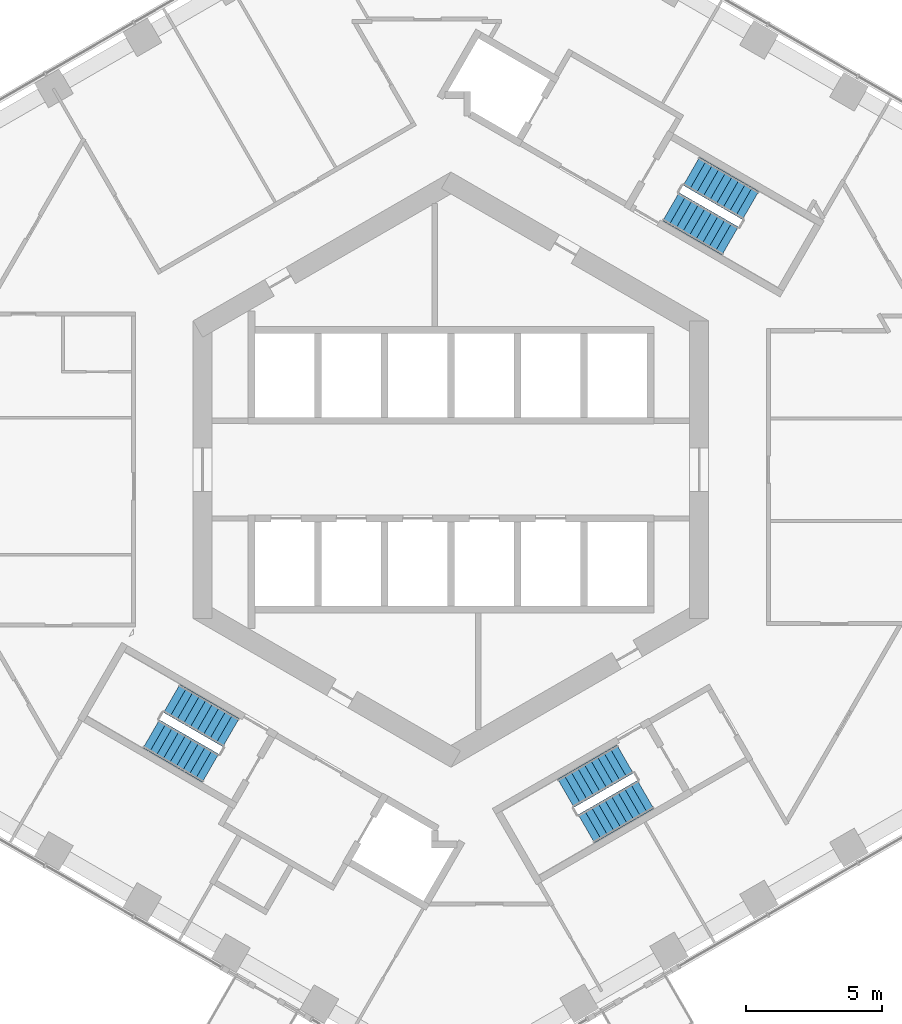
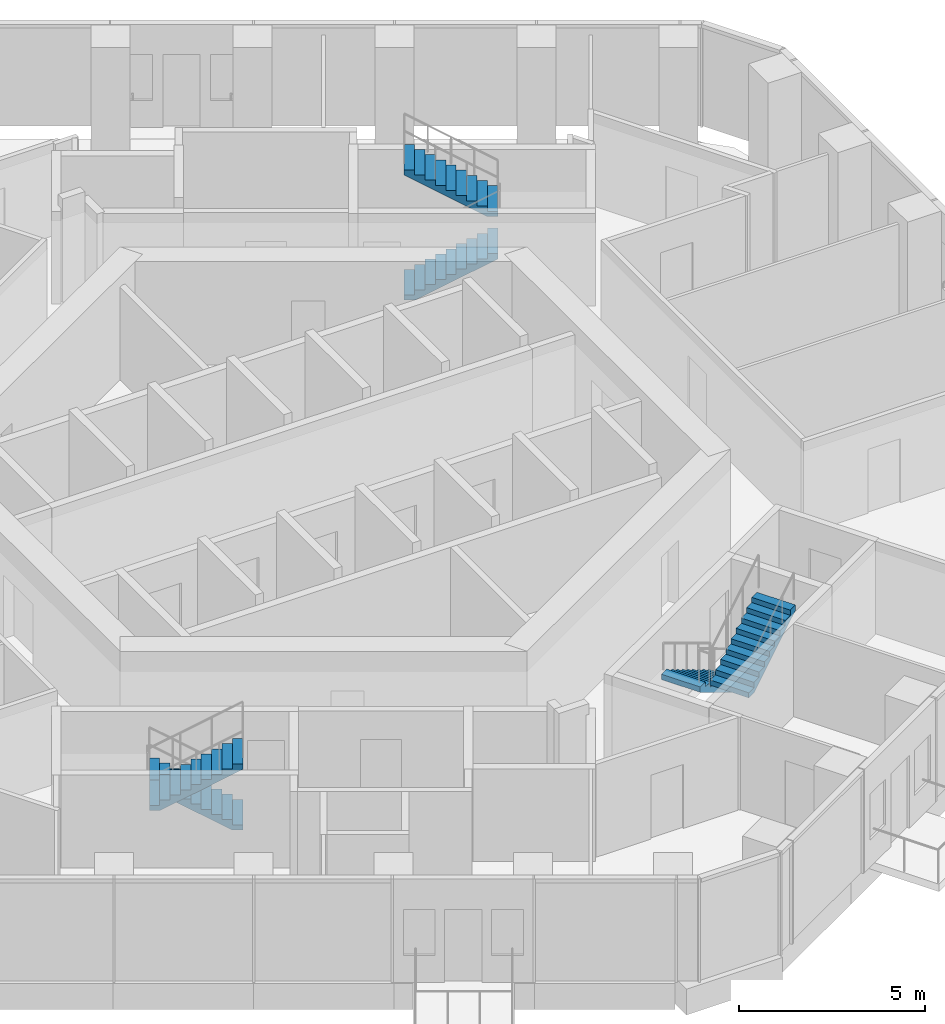
# One storey, part 17 of 20: 6 stair flights, 3 elements without a shape of their own.
"""IFC4 building model written with IfcOpenShell, lengths in metres."""

from ifc_helpers import new_model, si_unit, direction, frame, origin, place, context, subcontext, project, spatial, triangles, material, type_object, element, aggregate, save


model = new_model("IFC4")

# Units and contexts
model_context = context("Model", 3, precision=1e-05, world=origin(), true_north=direction((0.0, 1.0)))
body_context = subcontext(model_context, "Body", "Model", "MODEL_VIEW")
ifc_project = project(units=[si_unit("LENGTHUNIT", "METRE"), si_unit("AREAUNIT", "SQUARE_METRE"), si_unit("VOLUMEUNIT", "CUBIC_METRE"), si_unit("PLANEANGLEUNIT", "RADIAN"), si_unit("MASSUNIT", "GRAM", prefix="KILO")], contexts=[model_context])

# Site, building, storey
site_placement = place(None, origin())
site = spatial("IfcSite", under=ifc_project, at=site_placement, CompositionType="ELEMENT")
building_placement = place(site_placement, origin())
building = spatial("IfcBuilding", under=site, at=building_placement, Name="Ayvan Gate Tower", CompositionType="ELEMENT")
storey_placement = place(building_placement, frame((0.0, 0.0, 86.5)))
storey = spatial("IfcBuildingStorey", under=building, at=storey_placement, Name="L22", CompositionType="ELEMENT", Elevation=86.5)

# Stair, stair flights
ifc_material = material(Name="Concrete C40/50", Category="concrete")
stair_type = type_object("IfcStairType", Name="ST-EXIT", PredefinedType="HALF_TURN_STAIR", material=ifc_material)
stair_1_placement = place(storey_placement, origin())
stair_1 = element("IfcStair", 1, at=stair_1_placement, inside=storey, type_object=stair_type, Name="L22 Exit Stair S1", PredefinedType="HALF_TURN_STAIR")
stair_flight_type = type_object("IfcStairFlightType", Name="SFL-EXIT", PredefinedType="STRAIGHT", material=ifc_material)
stair_flight_1_placement = place(storey_placement, frame((8.106201171875, 9.690185546875, 0.0), z_axis=(0.0, 0.0, 1.0), x_axis=(0.866025403784, -0.5, 0.0)))
stair_flight_1 = element("IfcStairFlight", 2, at=stair_flight_1_placement, type_object=stair_flight_type, Name="STS1 flight 1", NumberOfRisers=10, NumberOfTreads=9, PredefinedType="STRAIGHT", RiserHeight=0.17, TreadLength=0.28, context=body_context, shape_type="Tessellation", body=[
    triangles([(0.288841, -0.599976, 0.0), (2.5205, -0.599976, 1.354936), (2.5205, -0.599976, 1.53), (2.24, -0.599976, 1.53), (2.24, -0.599976, 1.36), (1.96, -0.599976, 1.36), (1.96, -0.599976, 1.19), (1.68, -0.599976, 1.19), (1.68, -0.599976, 1.02), (1.4, -0.599976, 1.02), (1.4, -0.599976, 0.85), (1.12, -0.599976, 0.85), (1.12, -0.599976, 0.68), (0.84, -0.599976, 0.68), (0.84, -0.599976, 0.51), (0.56, -0.599976, 0.51), (0.56, -0.599976, 0.34), (0.28, -0.599976, 0.34), (0.28, -0.599976, 0.17), (-0.0005, -0.599976, 0.17), (-0.0005, -0.599976, 0.0), (0.288841, 0.0, 0.0), (2.5205, 0.0, 1.354936), (2.5205, 0.0, 1.53), (2.24, 0.0, 1.53), (2.24, 0.0, 1.36), (1.96, 0.0, 1.36), (1.96, 0.0, 1.19), (1.68, 0.0, 1.19), (1.68, 0.0, 1.02), (1.4, 0.0, 1.02), (1.4, 0.0, 0.85), (1.12, 0.0, 0.85), (1.12, 0.0, 0.68), (0.84, 0.0, 0.68), (0.84, 0.0, 0.51), (0.56, 0.0, 0.51), (0.56, 0.0, 0.34), (0.28, 0.0, 0.34), (0.28, 0.0, 0.17), (-0.0005, 0.0, 0.17), (-0.0005, 0.0, 0.0), (0.288841, 0.599976, 0.0), (2.5205, 0.599976, 1.354936), (2.5205, 0.599976, 1.53), (2.24, 0.599976, 1.53), (2.24, 0.599976, 1.36), (1.96, 0.599976, 1.36), (1.96, 0.599976, 1.19), (1.68, 0.599976, 1.19), (1.68, 0.599976, 1.02), (1.4, 0.599976, 1.02), (1.4, 0.599976, 0.85), (1.12, 0.599976, 0.85), (1.12, 0.599976, 0.68), (0.84, 0.599976, 0.68), (0.84, 0.599976, 0.51), (0.56, 0.599976, 0.51), (0.56, 0.599976, 0.34), (0.28, 0.599976, 0.34), (0.28, 0.599976, 0.17), (-0.0005, 0.599976, 0.17), (-0.0005, 0.599976, 0.0)], [[21, 1, 2], [63, 44, 43], [2, 3, 4], [44, 46, 45], [2, 4, 5], [44, 47, 46], [2, 5, 6], [44, 48, 47], [2, 6, 7], [44, 49, 48], [7, 8, 9], [49, 51, 50], [2, 7, 9], [44, 51, 49], [9, 10, 11], [51, 53, 52], [2, 9, 11], [44, 53, 51], [11, 12, 13], [53, 55, 54], [2, 11, 13], [44, 55, 53], [13, 14, 15], [55, 57, 56], [2, 13, 15], [44, 57, 55], [15, 16, 17], [57, 59, 58], [2, 15, 17], [44, 59, 57], [17, 18, 19], [59, 61, 60], [2, 17, 19], [44, 61, 59], [21, 2, 19], [63, 61, 44], [19, 20, 21], [61, 63, 62], [1, 22, 23], [1, 23, 2], [43, 23, 22], [43, 44, 23], [2, 23, 24], [2, 24, 3], [44, 24, 23], [44, 45, 24], [3, 24, 25], [3, 25, 4], [45, 25, 24], [45, 46, 25], [4, 25, 26], [4, 26, 5], [46, 26, 25], [46, 47, 26], [5, 26, 27], [5, 27, 6], [47, 27, 26], [47, 48, 27], [6, 27, 28], [6, 28, 7], [48, 28, 27], [48, 49, 28], [7, 28, 29], [7, 29, 8], [49, 29, 28], [49, 50, 29], [8, 29, 30], [8, 30, 9], [50, 30, 29], [50, 51, 30], [9, 30, 31], [9, 31, 10], [51, 31, 30], [51, 52, 31], [10, 31, 32], [10, 32, 11], [52, 32, 31], [52, 53, 32], [11, 32, 33], [11, 33, 12], [53, 33, 32], [53, 54, 33], [12, 33, 34], [12, 34, 13], [54, 34, 33], [54, 55, 34], [13, 34, 35], [13, 35, 14], [55, 35, 34], [55, 56, 35], [14, 35, 36], [14, 36, 15], [56, 36, 35], [56, 57, 36], [15, 36, 37], [15, 37, 16], [57, 37, 36], [57, 58, 37], [16, 37, 38], [16, 38, 17], [58, 38, 37], [58, 59, 38], [17, 38, 39], [17, 39, 18], [59, 39, 38], [59, 60, 39], [18, 39, 40], [18, 40, 19], [60, 40, 39], [60, 61, 40], [19, 40, 41], [19, 41, 20], [61, 41, 40], [61, 62, 41], [20, 41, 42], [20, 42, 21], [62, 42, 41], [62, 63, 42], [21, 42, 22], [21, 22, 1], [63, 22, 42], [63, 43, 22]], closed=True),
])
stair_flight_2_placement = place(storey_placement, frame((11.04345703125, 9.73779296875, 1.699951171875), z_axis=(0.0, 0.0, 1.0), x_axis=(-0.866025403784, 0.5, 0.0)))
stair_flight_2 = element("IfcStairFlight", 3, at=stair_flight_2_placement, type_object=stair_flight_type, Name="STS1 flight 2", NumberOfRisers=10, NumberOfTreads=9, PredefinedType="STRAIGHT", RiserHeight=0.17, TreadLength=0.28, context=body_context, shape_type="Tessellation", body=[
    triangles([(0.288841, -0.599976, 0.0), (2.5205, -0.599976, 1.354936), (2.5205, -0.599976, 1.53), (2.24, -0.599976, 1.53), (2.24, -0.599976, 1.36), (1.96, -0.599976, 1.36), (1.96, -0.599976, 1.19), (1.68, -0.599976, 1.19), (1.68, -0.599976, 1.02), (1.4, -0.599976, 1.02), (1.4, -0.599976, 0.85), (1.12, -0.599976, 0.85), (1.12, -0.599976, 0.68), (0.84, -0.599976, 0.68), (0.84, -0.599976, 0.51), (0.56, -0.599976, 0.51), (0.56, -0.599976, 0.34), (0.28, -0.599976, 0.34), (0.28, -0.599976, 0.17), (-0.0005, -0.599976, 0.17), (-0.0005, -0.599976, 0.0), (0.288841, 0.0, 0.0), (2.5205, 0.0, 1.354936), (2.5205, 0.0, 1.53), (2.24, 0.0, 1.53), (2.24, 0.0, 1.36), (1.96, 0.0, 1.36), (1.96, 0.0, 1.19), (1.68, 0.0, 1.19), (1.68, 0.0, 1.02), (1.4, 0.0, 1.02), (1.4, 0.0, 0.85), (1.12, 0.0, 0.85), (1.12, 0.0, 0.68), (0.84, 0.0, 0.68), (0.84, 0.0, 0.51), (0.56, 0.0, 0.51), (0.56, 0.0, 0.34), (0.28, 0.0, 0.34), (0.28, 0.0, 0.17), (-0.0005, 0.0, 0.17), (-0.0005, 0.0, 0.0), (0.288841, 0.599976, 0.0), (2.5205, 0.599976, 1.354936), (2.5205, 0.599976, 1.53), (2.24, 0.599976, 1.53), (2.24, 0.599976, 1.36), (1.96, 0.599976, 1.36), (1.96, 0.599976, 1.19), (1.68, 0.599976, 1.19), (1.68, 0.599976, 1.02), (1.4, 0.599976, 1.02), (1.4, 0.599976, 0.85), (1.12, 0.599976, 0.85), (1.12, 0.599976, 0.68), (0.84, 0.599976, 0.68), (0.84, 0.599976, 0.51), (0.56, 0.599976, 0.51), (0.56, 0.599976, 0.34), (0.28, 0.599976, 0.34), (0.28, 0.599976, 0.17), (-0.0005, 0.599976, 0.17), (-0.0005, 0.599976, 0.0)], [[21, 1, 2], [63, 44, 43], [2, 3, 4], [44, 46, 45], [2, 4, 5], [44, 47, 46], [2, 5, 6], [44, 48, 47], [2, 6, 7], [44, 49, 48], [7, 8, 9], [49, 51, 50], [2, 7, 9], [44, 51, 49], [9, 10, 11], [51, 53, 52], [2, 9, 11], [44, 53, 51], [11, 12, 13], [53, 55, 54], [2, 11, 13], [44, 55, 53], [13, 14, 15], [55, 57, 56], [2, 13, 15], [44, 57, 55], [15, 16, 17], [57, 59, 58], [2, 15, 17], [44, 59, 57], [17, 18, 19], [59, 61, 60], [2, 17, 19], [44, 61, 59], [21, 2, 19], [63, 61, 44], [19, 20, 21], [61, 63, 62], [1, 22, 23], [1, 23, 2], [43, 23, 22], [43, 44, 23], [2, 23, 24], [2, 24, 3], [44, 24, 23], [44, 45, 24], [3, 24, 25], [3, 25, 4], [45, 25, 24], [45, 46, 25], [4, 25, 26], [4, 26, 5], [46, 26, 25], [46, 47, 26], [5, 26, 27], [5, 27, 6], [47, 27, 26], [47, 48, 27], [6, 27, 28], [6, 28, 7], [48, 28, 27], [48, 49, 28], [7, 28, 29], [7, 29, 8], [49, 29, 28], [49, 50, 29], [8, 29, 30], [8, 30, 9], [50, 30, 29], [50, 51, 30], [9, 30, 31], [9, 31, 10], [51, 31, 30], [51, 52, 31], [10, 31, 32], [10, 32, 11], [52, 32, 31], [52, 53, 32], [11, 32, 33], [11, 33, 12], [53, 33, 32], [53, 54, 33], [12, 33, 34], [12, 34, 13], [54, 34, 33], [54, 55, 34], [13, 34, 35], [13, 35, 14], [55, 35, 34], [55, 56, 35], [14, 35, 36], [14, 36, 15], [56, 36, 35], [56, 57, 36], [15, 36, 37], [15, 37, 16], [57, 37, 36], [57, 58, 37], [16, 37, 38], [16, 38, 17], [58, 38, 37], [58, 59, 38], [17, 38, 39], [17, 39, 18], [59, 39, 38], [59, 60, 39], [18, 39, 40], [18, 40, 19], [60, 40, 39], [60, 61, 40], [19, 40, 41], [19, 41, 20], [61, 41, 40], [61, 62, 41], [20, 41, 42], [20, 42, 21], [62, 42, 41], [62, 63, 42], [21, 42, 22], [21, 22, 1], [63, 22, 42], [63, 43, 22]], closed=True),
])
aggregate(stair_1, [stair_flight_1, stair_flight_2])

stair_2_placement = place(storey_placement, origin())
stair_2 = element("IfcStair", 4, at=stair_2_placement, inside=storey, type_object=stair_type, Name="L22 Exit Stair S2", PredefinedType="HALF_TURN_STAIR")
stair_flight_3_placement = place(storey_placement, frame((-8.106201171875, -9.690185546875, 0.0), z_axis=(0.0, 0.0, 1.0), x_axis=(-0.866025403784, 0.5, 0.0)))
stair_flight_3 = element("IfcStairFlight", 5, at=stair_flight_3_placement, type_object=stair_flight_type, Name="STS2 flight 1", NumberOfRisers=10, NumberOfTreads=9, PredefinedType="STRAIGHT", RiserHeight=0.17, TreadLength=0.28, context=body_context, shape_type="Tessellation", body=[
    triangles([(0.288841, -0.599976, 0.0), (2.5205, -0.599976, 1.354936), (2.5205, -0.599976, 1.53), (2.24, -0.599976, 1.53), (2.24, -0.599976, 1.36), (1.96, -0.599976, 1.36), (1.96, -0.599976, 1.19), (1.68, -0.599976, 1.19), (1.68, -0.599976, 1.02), (1.4, -0.599976, 1.02), (1.4, -0.599976, 0.85), (1.12, -0.599976, 0.85), (1.12, -0.599976, 0.68), (0.84, -0.599976, 0.68), (0.84, -0.599976, 0.51), (0.56, -0.599976, 0.51), (0.56, -0.599976, 0.34), (0.28, -0.599976, 0.34), (0.28, -0.599976, 0.17), (-0.0005, -0.599976, 0.17), (-0.0005, -0.599976, 0.0), (0.288841, 0.0, 0.0), (2.5205, 0.0, 1.354936), (2.5205, 0.0, 1.53), (2.24, 0.0, 1.53), (2.24, 0.0, 1.36), (1.96, 0.0, 1.36), (1.96, 0.0, 1.19), (1.68, 0.0, 1.19), (1.68, 0.0, 1.02), (1.4, 0.0, 1.02), (1.4, 0.0, 0.85), (1.12, 0.0, 0.85), (1.12, 0.0, 0.68), (0.84, 0.0, 0.68), (0.84, 0.0, 0.51), (0.56, 0.0, 0.51), (0.56, 0.0, 0.34), (0.28, 0.0, 0.34), (0.28, 0.0, 0.17), (-0.0005, 0.0, 0.17), (-0.0005, 0.0, 0.0), (0.288841, 0.599976, 0.0), (2.5205, 0.599976, 1.354936), (2.5205, 0.599976, 1.53), (2.24, 0.599976, 1.53), (2.24, 0.599976, 1.36), (1.96, 0.599976, 1.36), (1.96, 0.599976, 1.19), (1.68, 0.599976, 1.19), (1.68, 0.599976, 1.02), (1.4, 0.599976, 1.02), (1.4, 0.599976, 0.85), (1.12, 0.599976, 0.85), (1.12, 0.599976, 0.68), (0.84, 0.599976, 0.68), (0.84, 0.599976, 0.51), (0.56, 0.599976, 0.51), (0.56, 0.599976, 0.34), (0.28, 0.599976, 0.34), (0.28, 0.599976, 0.17), (-0.0005, 0.599976, 0.17), (-0.0005, 0.599976, 0.0)], [[21, 1, 2], [63, 44, 43], [2, 3, 4], [44, 46, 45], [2, 4, 5], [44, 47, 46], [2, 5, 6], [44, 48, 47], [2, 6, 7], [44, 49, 48], [7, 8, 9], [49, 51, 50], [2, 7, 9], [44, 51, 49], [9, 10, 11], [51, 53, 52], [2, 9, 11], [44, 53, 51], [11, 12, 13], [53, 55, 54], [2, 11, 13], [44, 55, 53], [13, 14, 15], [55, 57, 56], [2, 13, 15], [44, 57, 55], [15, 16, 17], [57, 59, 58], [2, 15, 17], [44, 59, 57], [17, 18, 19], [59, 61, 60], [2, 17, 19], [44, 61, 59], [21, 2, 19], [63, 61, 44], [19, 20, 21], [61, 63, 62], [1, 22, 23], [1, 23, 2], [43, 23, 22], [43, 44, 23], [2, 23, 24], [2, 24, 3], [44, 24, 23], [44, 45, 24], [3, 24, 25], [3, 25, 4], [45, 25, 24], [45, 46, 25], [4, 25, 26], [4, 26, 5], [46, 26, 25], [46, 47, 26], [5, 26, 27], [5, 27, 6], [47, 27, 26], [47, 48, 27], [6, 27, 28], [6, 28, 7], [48, 28, 27], [48, 49, 28], [7, 28, 29], [7, 29, 8], [49, 29, 28], [49, 50, 29], [8, 29, 30], [8, 30, 9], [50, 30, 29], [50, 51, 30], [9, 30, 31], [9, 31, 10], [51, 31, 30], [51, 52, 31], [10, 31, 32], [10, 32, 11], [52, 32, 31], [52, 53, 32], [11, 32, 33], [11, 33, 12], [53, 33, 32], [53, 54, 33], [12, 33, 34], [12, 34, 13], [54, 34, 33], [54, 55, 34], [13, 34, 35], [13, 35, 14], [55, 35, 34], [55, 56, 35], [14, 35, 36], [14, 36, 15], [56, 36, 35], [56, 57, 36], [15, 36, 37], [15, 37, 16], [57, 37, 36], [57, 58, 37], [16, 37, 38], [16, 38, 17], [58, 38, 37], [58, 59, 38], [17, 38, 39], [17, 39, 18], [59, 39, 38], [59, 60, 39], [18, 39, 40], [18, 40, 19], [60, 40, 39], [60, 61, 40], [19, 40, 41], [19, 41, 20], [61, 41, 40], [61, 62, 41], [20, 41, 42], [20, 42, 21], [62, 42, 41], [62, 63, 42], [21, 42, 22], [21, 22, 1], [63, 22, 42], [63, 43, 22]], closed=True),
])
stair_flight_4_placement = place(storey_placement, frame((-11.04345703125, -9.73779296875, 1.699951171875), z_axis=(0.0, 0.0, 1.0), x_axis=(0.866025403784, -0.5, 0.0)))
stair_flight_4 = element("IfcStairFlight", 6, at=stair_flight_4_placement, type_object=stair_flight_type, Name="STS2 flight 2", NumberOfRisers=10, NumberOfTreads=9, PredefinedType="STRAIGHT", RiserHeight=0.17, TreadLength=0.28, context=body_context, shape_type="Tessellation", body=[
    triangles([(0.288841, -0.599976, 0.0), (2.5205, -0.599976, 1.354936), (2.5205, -0.599976, 1.53), (2.24, -0.599976, 1.53), (2.24, -0.599976, 1.36), (1.96, -0.599976, 1.36), (1.96, -0.599976, 1.19), (1.68, -0.599976, 1.19), (1.68, -0.599976, 1.02), (1.4, -0.599976, 1.02), (1.4, -0.599976, 0.85), (1.12, -0.599976, 0.85), (1.12, -0.599976, 0.68), (0.84, -0.599976, 0.68), (0.84, -0.599976, 0.51), (0.56, -0.599976, 0.51), (0.56, -0.599976, 0.34), (0.28, -0.599976, 0.34), (0.28, -0.599976, 0.17), (-0.0005, -0.599976, 0.17), (-0.0005, -0.599976, 0.0), (0.288841, 0.0, 0.0), (2.5205, 0.0, 1.354936), (2.5205, 0.0, 1.53), (2.24, 0.0, 1.53), (2.24, 0.0, 1.36), (1.96, 0.0, 1.36), (1.96, 0.0, 1.19), (1.68, 0.0, 1.19), (1.68, 0.0, 1.02), (1.4, 0.0, 1.02), (1.4, 0.0, 0.85), (1.12, 0.0, 0.85), (1.12, 0.0, 0.68), (0.84, 0.0, 0.68), (0.84, 0.0, 0.51), (0.56, 0.0, 0.51), (0.56, 0.0, 0.34), (0.28, 0.0, 0.34), (0.28, 0.0, 0.17), (-0.0005, 0.0, 0.17), (-0.0005, 0.0, 0.0), (0.288841, 0.599976, 0.0), (2.5205, 0.599976, 1.354936), (2.5205, 0.599976, 1.53), (2.24, 0.599976, 1.53), (2.24, 0.599976, 1.36), (1.96, 0.599976, 1.36), (1.96, 0.599976, 1.19), (1.68, 0.599976, 1.19), (1.68, 0.599976, 1.02), (1.4, 0.599976, 1.02), (1.4, 0.599976, 0.85), (1.12, 0.599976, 0.85), (1.12, 0.599976, 0.68), (0.84, 0.599976, 0.68), (0.84, 0.599976, 0.51), (0.56, 0.599976, 0.51), (0.56, 0.599976, 0.34), (0.28, 0.599976, 0.34), (0.28, 0.599976, 0.17), (-0.0005, 0.599976, 0.17), (-0.0005, 0.599976, 0.0)], [[21, 1, 2], [63, 44, 43], [2, 3, 4], [44, 46, 45], [2, 4, 5], [44, 47, 46], [2, 5, 6], [44, 48, 47], [2, 6, 7], [44, 49, 48], [7, 8, 9], [49, 51, 50], [2, 7, 9], [44, 51, 49], [9, 10, 11], [51, 53, 52], [2, 9, 11], [44, 53, 51], [11, 12, 13], [53, 55, 54], [2, 11, 13], [44, 55, 53], [13, 14, 15], [55, 57, 56], [2, 13, 15], [44, 57, 55], [15, 16, 17], [57, 59, 58], [2, 15, 17], [44, 59, 57], [17, 18, 19], [59, 61, 60], [2, 17, 19], [44, 61, 59], [21, 2, 19], [63, 61, 44], [19, 20, 21], [61, 63, 62], [1, 22, 23], [1, 23, 2], [43, 23, 22], [43, 44, 23], [2, 23, 24], [2, 24, 3], [44, 24, 23], [44, 45, 24], [3, 24, 25], [3, 25, 4], [45, 25, 24], [45, 46, 25], [4, 25, 26], [4, 26, 5], [46, 26, 25], [46, 47, 26], [5, 26, 27], [5, 27, 6], [47, 27, 26], [47, 48, 27], [6, 27, 28], [6, 28, 7], [48, 28, 27], [48, 49, 28], [7, 28, 29], [7, 29, 8], [49, 29, 28], [49, 50, 29], [8, 29, 30], [8, 30, 9], [50, 30, 29], [50, 51, 30], [9, 30, 31], [9, 31, 10], [51, 31, 30], [51, 52, 31], [10, 31, 32], [10, 32, 11], [52, 32, 31], [52, 53, 32], [11, 32, 33], [11, 33, 12], [53, 33, 32], [53, 54, 33], [12, 33, 34], [12, 34, 13], [54, 34, 33], [54, 55, 34], [13, 34, 35], [13, 35, 14], [55, 35, 34], [55, 56, 35], [14, 35, 36], [14, 36, 15], [56, 36, 35], [56, 57, 36], [15, 36, 37], [15, 37, 16], [57, 37, 36], [57, 58, 37], [16, 37, 38], [16, 38, 17], [58, 38, 37], [58, 59, 38], [17, 38, 39], [17, 39, 18], [59, 39, 38], [59, 60, 39], [18, 39, 40], [18, 40, 19], [60, 40, 39], [60, 61, 40], [19, 40, 41], [19, 41, 20], [61, 41, 40], [61, 62, 41], [20, 41, 42], [20, 42, 21], [62, 42, 41], [62, 63, 42], [21, 42, 22], [21, 22, 1], [63, 22, 42], [63, 43, 22]], closed=True),
])
aggregate(stair_2, [stair_flight_3, stair_flight_4])

stair_3_placement = place(storey_placement, origin())
stair_3 = element("IfcStair", 7, at=stair_3_placement, inside=storey, type_object=stair_type, Name="L22 Exit Stair S3", PredefinedType="HALF_TURN_STAIR")
stair_flight_5_placement = place(storey_placement, frame((6.417236328125, -10.665283203125, 0.0), z_axis=(0.0, 0.0, 1.0), x_axis=(-0.866025403784, -0.5, 0.0)))
stair_flight_5 = element("IfcStairFlight", 8, at=stair_flight_5_placement, type_object=stair_flight_type, Name="STS3 flight 1", NumberOfRisers=10, NumberOfTreads=9, PredefinedType="STRAIGHT", RiserHeight=0.17, TreadLength=0.28, context=body_context, shape_type="Tessellation", body=[
    triangles([(0.288841, -0.599976, 0.0), (2.5205, -0.599976, 1.354936), (2.5205, -0.599976, 1.53), (2.24, -0.599976, 1.53), (2.24, -0.599976, 1.36), (1.96, -0.599976, 1.36), (1.96, -0.599976, 1.19), (1.68, -0.599976, 1.19), (1.68, -0.599976, 1.02), (1.4, -0.599976, 1.02), (1.4, -0.599976, 0.85), (1.12, -0.599976, 0.85), (1.12, -0.599976, 0.68), (0.84, -0.599976, 0.68), (0.84, -0.599976, 0.51), (0.56, -0.599976, 0.51), (0.56, -0.599976, 0.34), (0.28, -0.599976, 0.34), (0.28, -0.599976, 0.17), (-0.0005, -0.599976, 0.17), (-0.0005, -0.599976, 0.0), (0.288841, 0.0, 0.0), (2.5205, 0.0, 1.354936), (2.5205, 0.0, 1.53), (2.24, 0.0, 1.53), (2.24, 0.0, 1.36), (1.96, 0.0, 1.36), (1.96, 0.0, 1.19), (1.68, 0.0, 1.19), (1.68, 0.0, 1.02), (1.4, 0.0, 1.02), (1.4, 0.0, 0.85), (1.12, 0.0, 0.85), (1.12, 0.0, 0.68), (0.84, 0.0, 0.68), (0.84, 0.0, 0.51), (0.56, 0.0, 0.51), (0.56, 0.0, 0.34), (0.28, 0.0, 0.34), (0.28, 0.0, 0.17), (-0.0005, 0.0, 0.17), (-0.0005, 0.0, 0.0), (0.288841, 0.599976, 0.0), (2.5205, 0.599976, 1.354936), (2.5205, 0.599976, 1.53), (2.24, 0.599976, 1.53), (2.24, 0.599976, 1.36), (1.96, 0.599976, 1.36), (1.96, 0.599976, 1.19), (1.68, 0.599976, 1.19), (1.68, 0.599976, 1.02), (1.4, 0.599976, 1.02), (1.4, 0.599976, 0.85), (1.12, 0.599976, 0.85), (1.12, 0.599976, 0.68), (0.84, 0.599976, 0.68), (0.84, 0.599976, 0.51), (0.56, 0.599976, 0.51), (0.56, 0.599976, 0.34), (0.28, 0.599976, 0.34), (0.28, 0.599976, 0.17), (-0.0005, 0.599976, 0.17), (-0.0005, 0.599976, 0.0)], [[21, 1, 2], [63, 44, 43], [2, 3, 4], [44, 46, 45], [2, 4, 5], [44, 47, 46], [2, 5, 6], [44, 48, 47], [2, 6, 7], [44, 49, 48], [7, 8, 9], [49, 51, 50], [2, 7, 9], [44, 51, 49], [9, 10, 11], [51, 53, 52], [2, 9, 11], [44, 53, 51], [11, 12, 13], [53, 55, 54], [2, 11, 13], [44, 55, 53], [13, 14, 15], [55, 57, 56], [2, 13, 15], [44, 57, 55], [15, 16, 17], [57, 59, 58], [2, 15, 17], [44, 59, 57], [17, 18, 19], [59, 61, 60], [2, 17, 19], [44, 61, 59], [21, 2, 19], [63, 61, 44], [19, 20, 21], [61, 63, 62], [1, 22, 23], [1, 23, 2], [43, 23, 22], [43, 44, 23], [2, 23, 24], [2, 24, 3], [44, 24, 23], [44, 45, 24], [3, 24, 25], [3, 25, 4], [45, 25, 24], [45, 46, 25], [4, 25, 26], [4, 26, 5], [46, 26, 25], [46, 47, 26], [5, 26, 27], [5, 27, 6], [47, 27, 26], [47, 48, 27], [6, 27, 28], [6, 28, 7], [48, 28, 27], [48, 49, 28], [7, 28, 29], [7, 29, 8], [49, 29, 28], [49, 50, 29], [8, 29, 30], [8, 30, 9], [50, 30, 29], [50, 51, 30], [9, 30, 31], [9, 31, 10], [51, 31, 30], [51, 52, 31], [10, 31, 32], [10, 32, 11], [52, 32, 31], [52, 53, 32], [11, 32, 33], [11, 33, 12], [53, 33, 32], [53, 54, 33], [12, 33, 34], [12, 34, 13], [54, 34, 33], [54, 55, 34], [13, 34, 35], [13, 35, 14], [55, 35, 34], [55, 56, 35], [14, 35, 36], [14, 36, 15], [56, 36, 35], [56, 57, 36], [15, 36, 37], [15, 37, 16], [57, 37, 36], [57, 58, 37], [16, 37, 38], [16, 38, 17], [58, 38, 37], [58, 59, 38], [17, 38, 39], [17, 39, 18], [59, 39, 38], [59, 60, 39], [18, 39, 40], [18, 40, 19], [60, 40, 39], [60, 61, 40], [19, 40, 41], [19, 41, 20], [61, 41, 40], [61, 62, 41], [20, 41, 42], [20, 42, 21], [62, 42, 41], [62, 63, 42], [21, 42, 22], [21, 22, 1], [63, 22, 42], [63, 43, 22]], closed=True),
])
stair_flight_6_placement = place(storey_placement, frame((4.989990234375, -13.23291015625, 1.699951171875), z_axis=(0.0, 0.0, 1.0), x_axis=(0.866025403784, 0.5, 0.0)))
stair_flight_6 = element("IfcStairFlight", 9, at=stair_flight_6_placement, type_object=stair_flight_type, Name="STS3 flight 2", NumberOfRisers=10, NumberOfTreads=9, PredefinedType="STRAIGHT", RiserHeight=0.17, TreadLength=0.28, context=body_context, shape_type="Tessellation", body=[
    triangles([(0.288841, -0.599976, 0.0), (2.5205, -0.599976, 1.354936), (2.5205, -0.599976, 1.53), (2.24, -0.599976, 1.53), (2.24, -0.599976, 1.36), (1.96, -0.599976, 1.36), (1.96, -0.599976, 1.19), (1.68, -0.599976, 1.19), (1.68, -0.599976, 1.02), (1.4, -0.599976, 1.02), (1.4, -0.599976, 0.85), (1.12, -0.599976, 0.85), (1.12, -0.599976, 0.68), (0.84, -0.599976, 0.68), (0.84, -0.599976, 0.51), (0.56, -0.599976, 0.51), (0.56, -0.599976, 0.34), (0.28, -0.599976, 0.34), (0.28, -0.599976, 0.17), (-0.0005, -0.599976, 0.17), (-0.0005, -0.599976, 0.0), (0.288841, 0.0, 0.0), (2.5205, 0.0, 1.354936), (2.5205, 0.0, 1.53), (2.24, 0.0, 1.53), (2.24, 0.0, 1.36), (1.96, 0.0, 1.36), (1.96, 0.0, 1.19), (1.68, 0.0, 1.19), (1.68, 0.0, 1.02), (1.4, 0.0, 1.02), (1.4, 0.0, 0.85), (1.12, 0.0, 0.85), (1.12, 0.0, 0.68), (0.84, 0.0, 0.68), (0.84, 0.0, 0.51), (0.56, 0.0, 0.51), (0.56, 0.0, 0.34), (0.28, 0.0, 0.34), (0.28, 0.0, 0.17), (-0.0005, 0.0, 0.17), (-0.0005, 0.0, 0.0), (0.288841, 0.599976, 0.0), (2.5205, 0.599976, 1.354936), (2.5205, 0.599976, 1.53), (2.24, 0.599976, 1.53), (2.24, 0.599976, 1.36), (1.96, 0.599976, 1.36), (1.96, 0.599976, 1.19), (1.68, 0.599976, 1.19), (1.68, 0.599976, 1.02), (1.4, 0.599976, 1.02), (1.4, 0.599976, 0.85), (1.12, 0.599976, 0.85), (1.12, 0.599976, 0.68), (0.84, 0.599976, 0.68), (0.84, 0.599976, 0.51), (0.56, 0.599976, 0.51), (0.56, 0.599976, 0.34), (0.28, 0.599976, 0.34), (0.28, 0.599976, 0.17), (-0.0005, 0.599976, 0.17), (-0.0005, 0.599976, 0.0)], [[21, 1, 2], [63, 44, 43], [2, 3, 4], [44, 46, 45], [2, 4, 5], [44, 47, 46], [2, 5, 6], [44, 48, 47], [2, 6, 7], [44, 49, 48], [7, 8, 9], [49, 51, 50], [2, 7, 9], [44, 51, 49], [9, 10, 11], [51, 53, 52], [2, 9, 11], [44, 53, 51], [11, 12, 13], [53, 55, 54], [2, 11, 13], [44, 55, 53], [13, 14, 15], [55, 57, 56], [2, 13, 15], [44, 57, 55], [15, 16, 17], [57, 59, 58], [2, 15, 17], [44, 59, 57], [17, 18, 19], [59, 61, 60], [2, 17, 19], [44, 61, 59], [21, 2, 19], [63, 61, 44], [19, 20, 21], [61, 63, 62], [1, 22, 23], [1, 23, 2], [43, 23, 22], [43, 44, 23], [2, 23, 24], [2, 24, 3], [44, 24, 23], [44, 45, 24], [3, 24, 25], [3, 25, 4], [45, 25, 24], [45, 46, 25], [4, 25, 26], [4, 26, 5], [46, 26, 25], [46, 47, 26], [5, 26, 27], [5, 27, 6], [47, 27, 26], [47, 48, 27], [6, 27, 28], [6, 28, 7], [48, 28, 27], [48, 49, 28], [7, 28, 29], [7, 29, 8], [49, 29, 28], [49, 50, 29], [8, 29, 30], [8, 30, 9], [50, 30, 29], [50, 51, 30], [9, 30, 31], [9, 31, 10], [51, 31, 30], [51, 52, 31], [10, 31, 32], [10, 32, 11], [52, 32, 31], [52, 53, 32], [11, 32, 33], [11, 33, 12], [53, 33, 32], [53, 54, 33], [12, 33, 34], [12, 34, 13], [54, 34, 33], [54, 55, 34], [13, 34, 35], [13, 35, 14], [55, 35, 34], [55, 56, 35], [14, 35, 36], [14, 36, 15], [56, 36, 35], [56, 57, 36], [15, 36, 37], [15, 37, 16], [57, 37, 36], [57, 58, 37], [16, 37, 38], [16, 38, 17], [58, 38, 37], [58, 59, 38], [17, 38, 39], [17, 39, 18], [59, 39, 38], [59, 60, 39], [18, 39, 40], [18, 40, 19], [60, 40, 39], [60, 61, 40], [19, 40, 41], [19, 41, 20], [61, 41, 40], [61, 62, 41], [20, 41, 42], [20, 42, 21], [62, 42, 41], [62, 63, 42], [21, 42, 22], [21, 22, 1], [63, 22, 42], [63, 43, 22]], closed=True),
])
aggregate(stair_3, [stair_flight_5, stair_flight_6])

save(model, "model.ifc")
